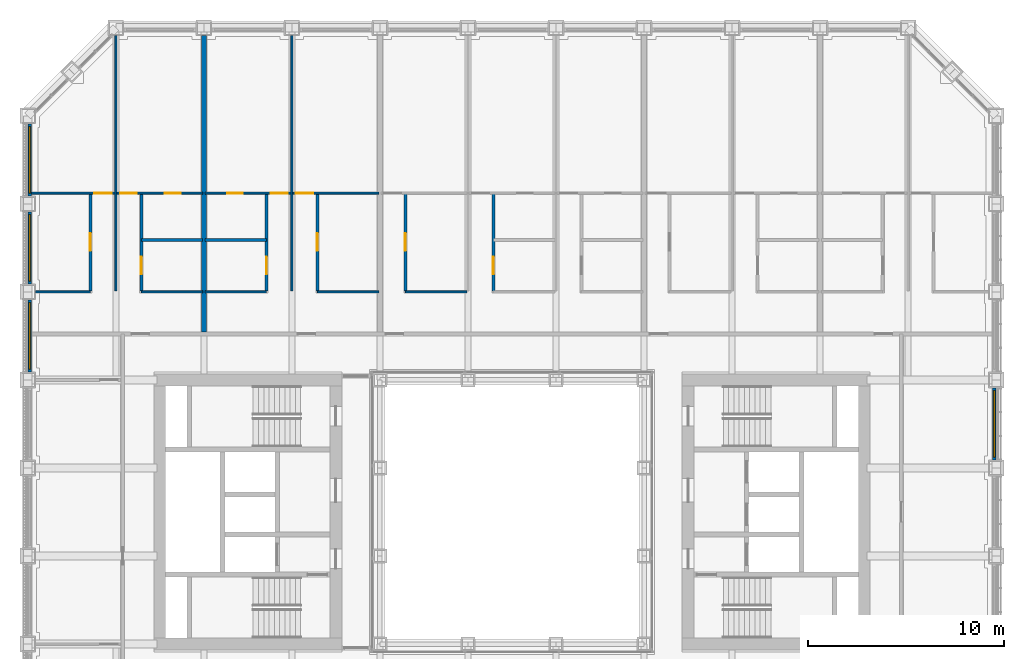
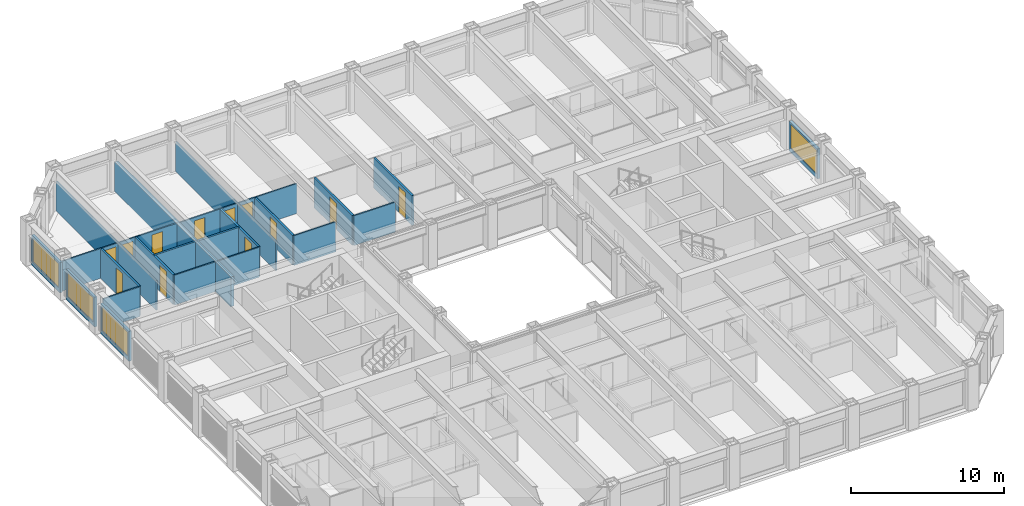
# One storey, part 13 of 21: 24 walls, 12 doors, 4 windows, 16 openings.
"""IFC4 building model written with IfcOpenShell, lengths in metres."""

from ifc_helpers import new_model, si_unit, direction, frame, frame_2d, origin, place, context, subcontext, project, spatial, rectangle, extrude, material, layer, layer_set, type_object, element, fill, save


model = new_model("IFC4")

# Units and contexts
model_context = context("Model", 3, precision=1e-05, world=origin(), true_north=direction((0.0, 1.0)))
body_context = subcontext(model_context, "Body", "Model", "MODEL_VIEW")
ifc_project = project(units=[si_unit("LENGTHUNIT", "METRE"), si_unit("AREAUNIT", "SQUARE_METRE"), si_unit("VOLUMEUNIT", "CUBIC_METRE"), si_unit("PLANEANGLEUNIT", "RADIAN"), si_unit("MASSUNIT", "GRAM", prefix="KILO")], contexts=[model_context])

# Site, building, storey
site_placement = place(None, origin())
site = spatial("IfcSite", under=ifc_project, at=site_placement, CompositionType="ELEMENT")
building_placement = place(site_placement, origin())
building = spatial("IfcBuilding", under=site, at=building_placement, Name="Msasa Ring Tower", CompositionType="ELEMENT")
storey_placement = place(building_placement, frame((0.0, 0.0, 54.5)))
storey = spatial("IfcBuildingStorey", under=building, at=storey_placement, Name="L13", CompositionType="ELEMENT", Elevation=54.5)

# Wall, opening, window
ifc_material_1 = material(Name="Terracotta rainscreen on blockwork", Category="masonry")
ifc_layer_1 = layer(ifc_material_1, 0.199951171875)
ifc_layer_set_1 = layer_set([ifc_layer_1], Name="FW1 TERRACOTTA-LINED INFILL BAY WALL 200")
wall_type_1 = type_object("IfcWallType", Name="FW1 TERRACOTTA-LINED INFILL BAY WALL 200", PredefinedType="SOLIDWALL", material=ifc_layer_set_1)
wall_1_placement = place(storey_placement, frame((24.64990234375, 2.655029296875, 0.0), z_axis=(0.0, 0.0, 1.0), x_axis=(0.0, 1.0, 0.0)))
wall_1 = element("IfcWall", 1, at=wall_1_placement, inside=storey, type_object=wall_type_1, Name="Infill bay wall E L13 16", PredefinedType="SOLIDWALL", context=body_context, shape_type="SweptSolid", body=[
    extrude(rectangle(XDim=3.68994140625, YDim=0.199951171875, at=frame_2d((1.844970703125, 0.0))), origin(), (0.0, 0.0, 1.0), 2.37890625),
])
opening_1_placement = place(wall_1_placement, frame((0.14501953125, 0.0, 0.300048828125)))
opening_1 = element("IfcOpeningElement", 2, at=opening_1_placement, cuts=wall_1, Name="Opening WN1", PredefinedType="OPENING", context=body_context, shape_type="SweptSolid", body=[
    extrude(rectangle(XDim=3.39990234375, YDim=1.928955078125, at=frame_2d((1.699951171875, 0.96435546875))), frame((0.0, 0.10986328125, 0.0), z_axis=(0.0, -1.0, 0.0), x_axis=(1.0, 0.0, 0.0)), (0.0, 0.0, 1.0), 0.219970703125),
])
ifc_material_2 = material(Name="Aluminium frame with clear glass", Category="aluminium")
window_type = type_object("IfcWindowType", Name="WN1 RESIDENCE WINDOW 3400x1929", PartitioningType="SINGLE_PANEL", PredefinedType="WINDOW", material=ifc_material_2)
window_1_placement = place(opening_1_placement, origin())
window_1 = element("IfcWindow", 3, at=window_1_placement, inside=storey, type_object=window_type, Name="Window E L13 16", OverallHeight=1.928955078125, OverallWidth=3.39990234375, PartitioningType="SINGLE_PANEL", PredefinedType="WINDOW", context=body_context, shape_type="SweptSolid", body=[
    extrude(rectangle(XDim=3.39990234375, YDim=1.928955078125, at=frame_2d((1.699951171875, 0.96435546875))), frame((0.0, 0.030029296875, 0.0), z_axis=(0.0, -1.0, 0.0), x_axis=(1.0, 0.0, 0.0)), (0.0, 0.0, 1.0), 0.06005859375),
])
fill(opening_1, window_1)

wall_2_placement = place(storey_placement, frame((-24.64990234375, 7.155029296875, 0.0), z_axis=(0.0, 0.0, 1.0), x_axis=(0.0, 1.0, 0.0)))
wall_2 = element("IfcWall", 4, at=wall_2_placement, inside=storey, type_object=wall_type_1, Name="Infill bay wall W L13 39", PredefinedType="SOLIDWALL", context=body_context, shape_type="SweptSolid", body=[
    extrude(rectangle(XDim=3.68994140625, YDim=0.199951171875, at=frame_2d((1.844970703125, 0.0))), origin(), (0.0, 0.0, 1.0), 2.37890625),
])
opening_2_placement = place(wall_2_placement, frame((0.14501953125, 0.0, 0.300048828125)))
opening_2 = element("IfcOpeningElement", 5, at=opening_2_placement, cuts=wall_2, Name="Opening WN1", PredefinedType="OPENING", context=body_context, shape_type="SweptSolid", body=[
    extrude(rectangle(XDim=3.39990234375, YDim=1.928955078125, at=frame_2d((1.699951171875, 0.96435546875))), frame((0.0, 0.10986328125, 0.0), z_axis=(0.0, -1.0, 0.0), x_axis=(1.0, 0.0, 0.0)), (0.0, 0.0, 1.0), 0.219970703125),
])
window_2_placement = place(opening_2_placement, origin())
window_2 = element("IfcWindow", 6, at=window_2_placement, inside=storey, type_object=window_type, Name="Window W L13 39", OverallHeight=1.928955078125, OverallWidth=3.39990234375, PartitioningType="SINGLE_PANEL", PredefinedType="WINDOW", context=body_context, shape_type="SweptSolid", body=[
    extrude(rectangle(XDim=3.39990234375, YDim=1.928955078125, at=frame_2d((1.699951171875, 0.96435546875))), frame((0.0, 0.030029296875, 0.0), z_axis=(0.0, -1.0, 0.0), x_axis=(1.0, 0.0, 0.0)), (0.0, 0.0, 1.0), 0.06005859375),
])
fill(opening_2, window_2)

wall_3_placement = place(storey_placement, frame((-24.64990234375, 11.655029296875, 0.0), z_axis=(0.0, 0.0, 1.0), x_axis=(0.0, 1.0, 0.0)))
wall_3 = element("IfcWall", 7, at=wall_3_placement, inside=storey, type_object=wall_type_1, Name="Infill bay wall W L13 40", PredefinedType="SOLIDWALL", context=body_context, shape_type="SweptSolid", body=[
    extrude(rectangle(XDim=3.68994140625, YDim=0.199951171875, at=frame_2d((1.844970703125, 0.0))), origin(), (0.0, 0.0, 1.0), 2.37890625),
])
opening_3_placement = place(wall_3_placement, frame((0.14501953125, 0.0, 0.300048828125)))
opening_3 = element("IfcOpeningElement", 8, at=opening_3_placement, cuts=wall_3, Name="Opening WN1", PredefinedType="OPENING", context=body_context, shape_type="SweptSolid", body=[
    extrude(rectangle(XDim=3.39990234375, YDim=1.928955078125, at=frame_2d((1.699951171875, 0.96435546875))), frame((0.0, 0.10986328125, 0.0), z_axis=(0.0, -1.0, 0.0), x_axis=(1.0, 0.0, 0.0)), (0.0, 0.0, 1.0), 0.219970703125),
])
window_3_placement = place(opening_3_placement, origin())
window_3 = element("IfcWindow", 9, at=window_3_placement, inside=storey, type_object=window_type, Name="Window W L13 40", OverallHeight=1.928955078125, OverallWidth=3.39990234375, PartitioningType="SINGLE_PANEL", PredefinedType="WINDOW", context=body_context, shape_type="SweptSolid", body=[
    extrude(rectangle(XDim=3.39990234375, YDim=1.928955078125, at=frame_2d((1.699951171875, 0.96435546875))), frame((0.0, 0.030029296875, 0.0), z_axis=(0.0, -1.0, 0.0), x_axis=(1.0, 0.0, 0.0)), (0.0, 0.0, 1.0), 0.06005859375),
])
fill(opening_3, window_3)

wall_4_placement = place(storey_placement, frame((-24.64990234375, 16.155029296875, 0.0), z_axis=(0.0, 0.0, 1.0), x_axis=(0.0, 1.0, 0.0)))
wall_4 = element("IfcWall", 10, at=wall_4_placement, inside=storey, type_object=wall_type_1, Name="Infill bay wall W L13 41", PredefinedType="SOLIDWALL", context=body_context, shape_type="SweptSolid", body=[
    extrude(rectangle(XDim=3.68994140625, YDim=0.199951171875, at=frame_2d((1.844970703125, 0.0))), origin(), (0.0, 0.0, 1.0), 2.37890625),
])
opening_4_placement = place(wall_4_placement, frame((0.14501953125, 0.0, 0.300048828125)))
opening_4 = element("IfcOpeningElement", 11, at=opening_4_placement, cuts=wall_4, Name="Opening WN1", PredefinedType="OPENING", context=body_context, shape_type="SweptSolid", body=[
    extrude(rectangle(XDim=3.39990234375, YDim=1.928955078125, at=frame_2d((1.699951171875, 0.96435546875))), frame((0.0, 0.10986328125, 0.0), z_axis=(0.0, -1.0, 0.0), x_axis=(1.0, 0.0, 0.0)), (0.0, 0.0, 1.0), 0.219970703125),
])
window_4_placement = place(opening_4_placement, origin())
window_4 = element("IfcWindow", 12, at=window_4_placement, inside=storey, type_object=window_type, Name="Window W L13 41", OverallHeight=1.928955078125, OverallWidth=3.39990234375, PartitioningType="SINGLE_PANEL", PredefinedType="WINDOW", context=body_context, shape_type="SweptSolid", body=[
    extrude(rectangle(XDim=3.39990234375, YDim=1.928955078125, at=frame_2d((1.699951171875, 0.96435546875))), frame((0.0, 0.030029296875, 0.0), z_axis=(0.0, -1.0, 0.0), x_axis=(1.0, 0.0, 0.0)), (0.0, 0.0, 1.0), 0.06005859375),
])
fill(opening_4, window_4)

# Wall
ifc_material_3 = material(Name="Gypsum board on steel studs", Category="steel")
ifc_layer_2 = layer(ifc_material_3, 0.10009765625)
ifc_layer_set_2 = layer_set([ifc_layer_2], Name="PT2 STUD PARTITION 100")
wall_type_2 = type_object("IfcWallType", Name="PT2 STUD PARTITION 100", PredefinedType="PARTITIONING", material=ifc_layer_set_2)
wall_5_placement = place(storey_placement, frame((-24.35009765625, 11.25, 0.0), z_axis=(0.0, 0.0, 1.0), x_axis=(1.0, 0.0, 0.0)))
element("IfcWall", 13, at=wall_5_placement, inside=storey, type_object=wall_type_2, Name="Partition L13-UN00HY0", PredefinedType="PARTITIONING", context=body_context, shape_type="SweptSolid", body=[
    extrude(rectangle(XDim=2.800048828125, YDim=0.10009765625, at=frame_2d((1.39990234375, 0.0))), origin(), (0.0, 0.0, 1.0), 2.373291015625),
])

# Wall, opening, door
wall_6_placement = place(storey_placement, frame((-24.550048828125, 16.300048828125, 0.0), z_axis=(0.0, 0.0, 1.0), x_axis=(1.0, 0.0, 0.0)))
wall_6 = element("IfcWall", 14, at=wall_6_placement, inside=storey, type_object=wall_type_2, Name="Partition L13-UN00SY0", PredefinedType="PARTITIONING", context=body_context, shape_type="SweptSolid", body=[
    extrude(rectangle(XDim=4.25, YDim=0.10009765625, at=frame_2d((2.125, 0.0))), origin(), (0.0, 0.0, 1.0), 2.373291015625),
])
opening_5_placement = place(wall_6_placement, frame((3.199951171875, 0.0, 0.0)))
opening_5 = element("IfcOpeningElement", 15, at=opening_5_placement, cuts=wall_6, Name="Opening RC-001", PredefinedType="OPENING", context=body_context, shape_type="SweptSolid", body=[
    extrude(rectangle(XDim=0.89990234375, YDim=2.10009765625, at=frame_2d((0.449951171875, 1.050048828125))), frame((0.0, 0.06005859375, 0.0), z_axis=(0.0, -1.0, 0.0), x_axis=(1.0, 0.0, 0.0)), (0.0, 0.0, 1.0), 0.1201171875),
])
ifc_material_4 = material(Name="Timber door leaf in a steel frame", Category="steel")
door_type_1 = type_object("IfcDoorType", Name="D22 INTERNAL HALL DOOR 900x2100", OperationType="SINGLE_SWING_LEFT", PredefinedType="DOOR", material=ifc_material_4)
door_1_placement = place(opening_5_placement, origin())
door_1 = element("IfcDoor", 16, at=door_1_placement, inside=storey, type_object=door_type_1, Name="Door L13-UN00L", OperationType="SINGLE_SWING_RIGHT", OverallHeight=2.10009765625, OverallWidth=0.89990234375, PredefinedType="DOOR", context=body_context, shape_type="SweptSolid", body=[
    extrude(rectangle(XDim=0.89990234375, YDim=2.10009765625, at=frame_2d((0.449951171875, 1.050048828125))), frame((0.0, 0.02490234375, 0.0), z_axis=(0.0, -1.0, 0.0), x_axis=(1.0, 0.0, 0.0)), (0.0, 0.0, 1.0), 0.050048828125),
])
fill(opening_5, door_1)

# Walls
wall_7_placement = place(storey_placement, frame((-20.25, 11.300048828125, 0.0), z_axis=(0.0, 0.0, 1.0), x_axis=(0.0, 1.0, 0.0)))
element("IfcWall", 17, at=wall_7_placement, inside=storey, type_object=wall_type_2, Name="Partition L13-UN00P1", PredefinedType="PARTITIONING", context=body_context, shape_type="SweptSolid", body=[
    extrude(rectangle(XDim=13.050048828125, YDim=0.10009765625, at=frame_2d((6.52490234375, 0.0))), origin(), (0.0, 0.0, 1.0), 2.373291015625),
])
wall_8_placement = place(storey_placement, frame((-18.949951171875, 11.25, 0.0), z_axis=(0.0, 0.0, 1.0), x_axis=(1.0, 0.0, 0.0)))
element("IfcWall", 18, at=wall_8_placement, inside=storey, type_object=wall_type_2, Name="Partition L13-UN00HY1", PredefinedType="PARTITIONING", context=body_context, shape_type="SweptSolid", body=[
    extrude(rectangle(XDim=3.139892578125, YDim=0.10009765625, at=frame_2d((1.56982421875, 0.0))), origin(), (0.0, 0.0, 1.0), 2.373291015625),
])

# Wall, openings, doors
wall_9_placement = place(storey_placement, frame((-20.199951171875, 16.300048828125, 0.0), z_axis=(0.0, 0.0, 1.0), x_axis=(1.0, 0.0, 0.0)))
wall_9 = element("IfcWall", 19, at=wall_9_placement, inside=storey, type_object=wall_type_2, Name="Partition L13-UN00SY1", PredefinedType="PARTITIONING", context=body_context, shape_type="SweptSolid", body=[
    extrude(rectangle(XDim=4.389892578125, YDim=0.10009765625, at=frame_2d((2.19482421875, 0.0))), origin(), (0.0, 0.0, 1.0), 2.373291015625),
])
opening_6_placement = place(wall_9_placement, frame((0.175048828125, 0.0, 0.0)))
opening_6 = element("IfcOpeningElement", 20, at=opening_6_placement, cuts=wall_9, Name="Opening RC-002", PredefinedType="OPENING", context=body_context, shape_type="SweptSolid", body=[
    extrude(rectangle(XDim=0.85009765625, YDim=2.10009765625, at=frame_2d((0.425048828125, 1.050048828125))), frame((0.0, 0.06005859375, 0.0), z_axis=(0.0, -1.0, 0.0), x_axis=(1.0, 0.0, 0.0)), (0.0, 0.0, 1.0), 0.1201171875),
])
opening_7_placement = place(wall_9_placement, frame((2.4599609375, 0.0, 0.0)))
opening_7 = element("IfcOpeningElement", 21, at=opening_7_placement, cuts=wall_9, Name="Opening RC-003", PredefinedType="OPENING", context=body_context, shape_type="SweptSolid", body=[
    extrude(rectangle(XDim=0.800048828125, YDim=2.10009765625, at=frame_2d((0.39990234375, 1.050048828125))), frame((0.0, 0.06005859375, 0.0), z_axis=(0.0, -1.0, 0.0), x_axis=(1.0, 0.0, 0.0)), (0.0, 0.0, 1.0), 0.1201171875),
])
ifc_material_5 = material(Name="Timber door leaf in a steel frame", Category="steel")
door_type_2 = type_object("IfcDoorType", Name="D14 BEDROOM DOOR 850x2100", OperationType="SINGLE_SWING_LEFT", PredefinedType="DOOR", material=ifc_material_5)
door_2_placement = place(opening_6_placement, origin())
door_2 = element("IfcDoor", 22, at=door_2_placement, inside=storey, type_object=door_type_2, Name="Door L13-UN00R1", OperationType="SINGLE_SWING_LEFT", OverallHeight=2.10009765625, OverallWidth=0.85009765625, PredefinedType="DOOR", context=body_context, shape_type="SweptSolid", body=[
    extrude(rectangle(XDim=0.85009765625, YDim=2.10009765625, at=frame_2d((0.425048828125, 1.050048828125))), frame((0.0, 0.02490234375, 0.0), z_axis=(0.0, -1.0, 0.0), x_axis=(1.0, 0.0, 0.0)), (0.0, 0.0, 1.0), 0.050048828125),
])
fill(opening_6, door_2)
ifc_material_6 = material(Name="Timber door leaf in a steel frame", Category="steel")
door_type_3 = type_object("IfcDoorType", Name="D60 DRESSING ROOM DOOR 800x2100", OperationType="SINGLE_SWING_LEFT", PredefinedType="DOOR", material=ifc_material_6)
door_3_placement = place(opening_7_placement, origin())
door_3 = element("IfcDoor", 23, at=door_3_placement, inside=storey, type_object=door_type_3, Name="Door L13-UN00W1", OperationType="SINGLE_SWING_RIGHT", OverallHeight=2.10009765625, OverallWidth=0.800048828125, PredefinedType="DOOR", context=body_context, shape_type="SweptSolid", body=[
    extrude(rectangle(XDim=0.800048828125, YDim=2.10009765625, at=frame_2d((0.39990234375, 1.050048828125))), frame((0.0, 0.02490234375, 0.0), z_axis=(0.0, -1.0, 0.0), x_axis=(1.0, 0.0, 0.0)), (0.0, 0.0, 1.0), 0.050048828125),
])
fill(opening_7, door_3)

# Wall
wall_10_placement = place(storey_placement, frame((-9.949951171875, 11.25, 0.0), z_axis=(0.0, 0.0, 1.0), x_axis=(1.0, 0.0, 0.0)))
element("IfcWall", 24, at=wall_10_placement, inside=storey, type_object=wall_type_2, Name="Partition L13-UN01HY0", PredefinedType="PARTITIONING", context=body_context, shape_type="SweptSolid", body=[
    extrude(rectangle(XDim=3.139892578125, YDim=0.10009765625, at=frame_2d((1.56982421875, 0.0))), origin(), (0.0, 0.0, 1.0), 2.373291015625),
])

# Wall, opening, door
wall_11_placement = place(storey_placement, frame((-11.199951171875, 16.300048828125, 0.0), z_axis=(0.0, 0.0, 1.0), x_axis=(1.0, 0.0, 0.0)))
wall_11 = element("IfcWall", 25, at=wall_11_placement, inside=storey, type_object=wall_type_2, Name="Partition L13-UN01SY0", PredefinedType="PARTITIONING", context=body_context, shape_type="SweptSolid", body=[
    extrude(rectangle(XDim=4.389892578125, YDim=0.10009765625, at=frame_2d((2.19482421875, 0.0))), origin(), (0.0, 0.0, 1.0), 2.373291015625),
])
opening_8_placement = place(wall_11_placement, frame((0.14990234375, 0.0, 0.0)))
opening_8 = element("IfcOpeningElement", 26, at=opening_8_placement, cuts=wall_11, Name="Opening RC-006", PredefinedType="OPENING", context=body_context, shape_type="SweptSolid", body=[
    extrude(rectangle(XDim=0.89990234375, YDim=2.10009765625, at=frame_2d((0.449951171875, 1.050048828125))), frame((0.0, 0.06005859375, 0.0), z_axis=(0.0, -1.0, 0.0), x_axis=(1.0, 0.0, 0.0)), (0.0, 0.0, 1.0), 0.1201171875),
])
door_4_placement = place(opening_8_placement, origin())
door_4 = element("IfcDoor", 27, at=door_4_placement, inside=storey, type_object=door_type_1, Name="Door L13-UN01L", OperationType="SINGLE_SWING_LEFT", OverallHeight=2.10009765625, OverallWidth=0.89990234375, PredefinedType="DOOR", context=body_context, shape_type="SweptSolid", body=[
    extrude(rectangle(XDim=0.89990234375, YDim=2.10009765625, at=frame_2d((0.449951171875, 1.050048828125))), frame((0.0, 0.02490234375, 0.0), z_axis=(0.0, -1.0, 0.0), x_axis=(1.0, 0.0, 0.0)), (0.0, 0.0, 1.0), 0.050048828125),
])
fill(opening_8, door_4)

# Walls
wall_12_placement = place(storey_placement, frame((-11.25, 11.300048828125, 0.0), z_axis=(0.0, 0.0, 1.0), x_axis=(0.0, 1.0, 0.0)))
element("IfcWall", 28, at=wall_12_placement, inside=storey, type_object=wall_type_2, Name="Partition L13-UN01P1", PredefinedType="PARTITIONING", context=body_context, shape_type="SweptSolid", body=[
    extrude(rectangle(XDim=13.050048828125, YDim=0.10009765625, at=frame_2d((6.52490234375, 0.0))), origin(), (0.0, 0.0, 1.0), 2.373291015625),
])
wall_13_placement = place(storey_placement, frame((-15.68994140625, 11.25, 0.0), z_axis=(0.0, 0.0, 1.0), x_axis=(1.0, 0.0, 0.0)))
element("IfcWall", 29, at=wall_13_placement, inside=storey, type_object=wall_type_2, Name="Partition L13-UN01HY1", PredefinedType="PARTITIONING", context=body_context, shape_type="SweptSolid", body=[
    extrude(rectangle(XDim=3.139892578125, YDim=0.10009765625, at=frame_2d((1.56982421875, 0.0))), origin(), (0.0, 0.0, 1.0), 2.373291015625),
])

# Wall, openings, doors
wall_14_placement = place(storey_placement, frame((-15.68994140625, 16.300048828125, 0.0), z_axis=(0.0, 0.0, 1.0), x_axis=(1.0, 0.0, 0.0)))
wall_14 = element("IfcWall", 30, at=wall_14_placement, inside=storey, type_object=wall_type_2, Name="Partition L13-UN01SY1", PredefinedType="PARTITIONING", context=body_context, shape_type="SweptSolid", body=[
    extrude(rectangle(XDim=4.389892578125, YDim=0.10009765625, at=frame_2d((2.19482421875, 0.0))), origin(), (0.0, 0.0, 1.0), 2.373291015625),
])
opening_9_placement = place(wall_14_placement, frame((3.364990234375, 0.0, 0.0)))
opening_9 = element("IfcOpeningElement", 31, at=opening_9_placement, cuts=wall_14, Name="Opening RC-005", PredefinedType="OPENING", context=body_context, shape_type="SweptSolid", body=[
    extrude(rectangle(XDim=0.85009765625, YDim=2.10009765625, at=frame_2d((0.425048828125, 1.050048828125))), frame((0.0, 0.06005859375, 0.0), z_axis=(0.0, -1.0, 0.0), x_axis=(1.0, 0.0, 0.0)), (0.0, 0.0, 1.0), 0.1201171875),
])
opening_10_placement = place(wall_14_placement, frame((1.1298828125, 0.0, 0.0)))
opening_10 = element("IfcOpeningElement", 32, at=opening_10_placement, cuts=wall_14, Name="Opening RC-004", PredefinedType="OPENING", context=body_context, shape_type="SweptSolid", body=[
    extrude(rectangle(XDim=0.800048828125, YDim=2.10009765625, at=frame_2d((0.39990234375, 1.050048828125))), frame((0.0, 0.06005859375, 0.0), z_axis=(0.0, -1.0, 0.0), x_axis=(1.0, 0.0, 0.0)), (0.0, 0.0, 1.0), 0.1201171875),
])
door_5_placement = place(opening_9_placement, origin())
door_5 = element("IfcDoor", 33, at=door_5_placement, inside=storey, type_object=door_type_2, Name="Door L13-UN01R1", OperationType="SINGLE_SWING_RIGHT", OverallHeight=2.10009765625, OverallWidth=0.85009765625, PredefinedType="DOOR", context=body_context, shape_type="SweptSolid", body=[
    extrude(rectangle(XDim=0.85009765625, YDim=2.10009765625, at=frame_2d((0.425048828125, 1.050048828125))), frame((0.0, 0.02490234375, 0.0), z_axis=(0.0, -1.0, 0.0), x_axis=(1.0, 0.0, 0.0)), (0.0, 0.0, 1.0), 0.050048828125),
])
fill(opening_9, door_5)
door_6_placement = place(opening_10_placement, origin())
door_6 = element("IfcDoor", 34, at=door_6_placement, inside=storey, type_object=door_type_3, Name="Door L13-UN01W1", OperationType="SINGLE_SWING_LEFT", OverallHeight=2.10009765625, OverallWidth=0.800048828125, PredefinedType="DOOR", context=body_context, shape_type="SweptSolid", body=[
    extrude(rectangle(XDim=0.800048828125, YDim=2.10009765625, at=frame_2d((0.39990234375, 1.050048828125))), frame((0.0, 0.02490234375, 0.0), z_axis=(0.0, -1.0, 0.0), x_axis=(1.0, 0.0, 0.0)), (0.0, 0.0, 1.0), 0.050048828125),
])
fill(opening_10, door_6)

# Walls
wall_15_placement = place(storey_placement, frame((-5.449951171875, 11.25, 0.0), z_axis=(0.0, 0.0, 1.0), x_axis=(1.0, 0.0, 0.0)))
element("IfcWall", 35, at=wall_15_placement, inside=storey, type_object=wall_type_2, Name="Partition L13-UN02HY0", PredefinedType="PARTITIONING", context=body_context, shape_type="SweptSolid", body=[
    extrude(rectangle(XDim=3.139892578125, YDim=0.10009765625, at=frame_2d((1.56982421875, 0.0))), origin(), (0.0, 0.0, 1.0), 2.373291015625),
])
ifc_material_7 = material(Name="Dense concrete blockwork, plastered both faces", Category="masonry")
ifc_layer_3 = layer(ifc_material_7, 0.25)
ifc_layer_set_3 = layer_set([ifc_layer_3], Name="PT3 APARTMENT SEPARATING WALL 250")
wall_type_3 = type_object("IfcWallType", Name="PT3 APARTMENT SEPARATING WALL 250", PredefinedType="PARTITIONING", material=ifc_layer_set_3)
wall_16_placement = place(storey_placement, frame((-15.75, 9.199951171875, 0.0), z_axis=(0.0, 0.0, 1.0), x_axis=(0.0, 1.0, 0.0)))
element("IfcWall", 36, at=wall_16_placement, inside=storey, type_object=wall_type_3, Name="Party wall L13-PWN-15.75", PredefinedType="PARTITIONING", context=body_context, shape_type="SweptSolid", body=[
    extrude(rectangle(XDim=15.150146484375, YDim=0.25, at=frame_2d((7.5751953125, 0.0))), origin(), (0.0, 0.0, 1.0), 2.373291015625),
])

# Wall, opening, door
ifc_material_8 = material(Name="Moisture-resistant board on steel studs with a concealed cistern and pipe void, tiled", Category="steel")
ifc_layer_4 = layer(ifc_material_8, 0.14990234375)
ifc_layer_set_4 = layer_set([ifc_layer_4], Name="PT4 BATHROOM WET WALL 150")
wall_type_4 = type_object("IfcWallType", Name="PT4 BATHROOM WET WALL 150", PredefinedType="PARTITIONING", material=ifc_layer_set_4)
wall_17_placement = place(storey_placement, frame((-21.550048828125, 11.300048828125, 0.0), z_axis=(0.0, 0.0, 1.0), x_axis=(0.0, 1.0, 0.0)))
wall_17 = element("IfcWall", 37, at=wall_17_placement, inside=storey, type_object=wall_type_4, Name="Partition L13-UN00SX0", PredefinedType="PARTITIONING", context=body_context, shape_type="SweptSolid", body=[
    extrude(rectangle(XDim=5.0, YDim=0.14990234375, at=frame_2d((2.5, 0.0))), origin(), (0.0, 0.0, 1.0), 2.373291015625),
])
opening_11_placement = place(wall_17_placement, frame((2.050048828125, 0.0, 0.0)))
opening_11 = element("IfcOpeningElement", 38, at=opening_11_placement, cuts=wall_17, Name="Opening RC-018", PredefinedType="OPENING", context=body_context, shape_type="SweptSolid", body=[
    extrude(rectangle(XDim=0.89990234375, YDim=2.10009765625, at=frame_2d((0.449951171875, 1.050048828125))), frame((0.0, 0.0849609375, 0.0), z_axis=(0.0, -1.0, 0.0), x_axis=(1.0, 0.0, 0.0)), (0.0, 0.0, 1.0), 0.169921875),
])
door_7_placement = place(opening_11_placement, origin())
door_7 = element("IfcDoor", 39, at=door_7_placement, inside=storey, type_object=door_type_1, Name="Door L13-UN00K", OperationType="SINGLE_SWING_LEFT", OverallHeight=2.10009765625, OverallWidth=0.89990234375, PredefinedType="DOOR", context=body_context, shape_type="SweptSolid", body=[
    extrude(rectangle(XDim=0.89990234375, YDim=2.10009765625, at=frame_2d((0.449951171875, 1.050048828125))), frame((0.0, 0.02490234375, 0.0), z_axis=(0.0, -1.0, 0.0), x_axis=(1.0, 0.0, 0.0)), (0.0, 0.0, 1.0), 0.050048828125),
])
fill(opening_11, door_7)

wall_18_placement = place(storey_placement, frame((-18.949951171875, 11.300048828125, 0.0), z_axis=(0.0, 0.0, 1.0), x_axis=(0.0, 1.0, 0.0)))
wall_18 = element("IfcWall", 40, at=wall_18_placement, inside=storey, type_object=wall_type_4, Name="Partition L13-UN00SX1", PredefinedType="PARTITIONING", context=body_context, shape_type="SweptSolid", body=[
    extrude(rectangle(XDim=5.0, YDim=0.14990234375, at=frame_2d((2.5, 0.0))), origin(), (0.0, 0.0, 1.0), 2.373291015625),
])
opening_12_placement = place(wall_18_placement, frame((0.85009765625, 0.0, 0.0)))
opening_12 = element("IfcOpeningElement", 41, at=opening_12_placement, cuts=wall_18, Name="Opening RC-023", PredefinedType="OPENING", context=body_context, shape_type="SweptSolid", body=[
    extrude(rectangle(XDim=0.89990234375, YDim=2.10009765625, at=frame_2d((0.449951171875, 1.050048828125))), frame((0.0, 0.0849609375, 0.0), z_axis=(0.0, -1.0, 0.0), x_axis=(1.0, 0.0, 0.0)), (0.0, 0.0, 1.0), 0.169921875),
])
ifc_material_9 = material(Name="Timber door leaf in a steel frame", Category="steel")
door_type_4 = type_object("IfcDoorType", Name="D3 BATHROOM DOOR 900x2100", OperationType="SINGLE_SWING_LEFT", PredefinedType="DOOR", material=ifc_material_9)
door_8_placement = place(opening_12_placement, origin())
door_8 = element("IfcDoor", 42, at=door_8_placement, inside=storey, type_object=door_type_4, Name="Door L13-UN00B1", OperationType="SINGLE_SWING_LEFT", OverallHeight=2.10009765625, OverallWidth=0.89990234375, PredefinedType="DOOR", context=body_context, shape_type="SweptSolid", body=[
    extrude(rectangle(XDim=0.89990234375, YDim=2.10009765625, at=frame_2d((0.449951171875, 1.050048828125))), frame((0.0, 0.02490234375, 0.0), z_axis=(0.0, -1.0, 0.0), x_axis=(1.0, 0.0, 0.0)), (0.0, 0.0, 1.0), 0.050048828125),
])
fill(opening_12, door_8)

# Wall
wall_19_placement = place(storey_placement, frame((-18.949951171875, 13.89990234375, 0.0), z_axis=(0.0, 0.0, 1.0), x_axis=(1.0, 0.0, 0.0)))
element("IfcWall", 43, at=wall_19_placement, inside=storey, type_object=wall_type_4, Name="Partition L13-UN00SB1", PredefinedType="PARTITIONING", context=body_context, shape_type="SweptSolid", body=[
    extrude(rectangle(XDim=3.139892578125, YDim=0.14990234375, at=frame_2d((1.56982421875, 0.0))), origin(), (0.0, 0.0, 1.0), 2.373291015625),
])

# Wall, opening, door
wall_20_placement = place(storey_placement, frame((-9.949951171875, 11.300048828125, 0.0), z_axis=(0.0, 0.0, 1.0), x_axis=(0.0, 1.0, 0.0)))
wall_20 = element("IfcWall", 44, at=wall_20_placement, inside=storey, type_object=wall_type_4, Name="Partition L13-UN01SX0", PredefinedType="PARTITIONING", context=body_context, shape_type="SweptSolid", body=[
    extrude(rectangle(XDim=5.0, YDim=0.14990234375, at=frame_2d((2.5, 0.0))), origin(), (0.0, 0.0, 1.0), 2.373291015625),
])
opening_13_placement = place(wall_20_placement, frame((2.050048828125, 0.0, 0.0)))
opening_13 = element("IfcOpeningElement", 45, at=opening_13_placement, cuts=wall_20, Name="Opening RC-019", PredefinedType="OPENING", context=body_context, shape_type="SweptSolid", body=[
    extrude(rectangle(XDim=0.89990234375, YDim=2.10009765625, at=frame_2d((0.449951171875, 1.050048828125))), frame((0.0, 0.0849609375, 0.0), z_axis=(0.0, -1.0, 0.0), x_axis=(1.0, 0.0, 0.0)), (0.0, 0.0, 1.0), 0.169921875),
])
door_9_placement = place(opening_13_placement, origin())
door_9 = element("IfcDoor", 46, at=door_9_placement, inside=storey, type_object=door_type_1, Name="Door L13-UN01K", OperationType="SINGLE_SWING_LEFT", OverallHeight=2.10009765625, OverallWidth=0.89990234375, PredefinedType="DOOR", context=body_context, shape_type="SweptSolid", body=[
    extrude(rectangle(XDim=0.89990234375, YDim=2.10009765625, at=frame_2d((0.449951171875, 1.050048828125))), frame((0.0, 0.02490234375, 0.0), z_axis=(0.0, -1.0, 0.0), x_axis=(1.0, 0.0, 0.0)), (0.0, 0.0, 1.0), 0.050048828125),
])
fill(opening_13, door_9)

wall_21_placement = place(storey_placement, frame((-12.550048828125, 11.300048828125, 0.0), z_axis=(0.0, 0.0, 1.0), x_axis=(0.0, 1.0, 0.0)))
wall_21 = element("IfcWall", 47, at=wall_21_placement, inside=storey, type_object=wall_type_4, Name="Partition L13-UN01SX1", PredefinedType="PARTITIONING", context=body_context, shape_type="SweptSolid", body=[
    extrude(rectangle(XDim=5.0, YDim=0.14990234375, at=frame_2d((2.5, 0.0))), origin(), (0.0, 0.0, 1.0), 2.373291015625),
])
opening_14_placement = place(wall_21_placement, frame((0.85009765625, 0.0, 0.0)))
opening_14 = element("IfcOpeningElement", 48, at=opening_14_placement, cuts=wall_21, Name="Opening RC-024", PredefinedType="OPENING", context=body_context, shape_type="SweptSolid", body=[
    extrude(rectangle(XDim=0.89990234375, YDim=2.10009765625, at=frame_2d((0.449951171875, 1.050048828125))), frame((0.0, 0.0849609375, 0.0), z_axis=(0.0, -1.0, 0.0), x_axis=(1.0, 0.0, 0.0)), (0.0, 0.0, 1.0), 0.169921875),
])
door_10_placement = place(opening_14_placement, origin())
door_10 = element("IfcDoor", 49, at=door_10_placement, inside=storey, type_object=door_type_4, Name="Door L13-UN01B1", OperationType="SINGLE_SWING_LEFT", OverallHeight=2.10009765625, OverallWidth=0.89990234375, PredefinedType="DOOR", context=body_context, shape_type="SweptSolid", body=[
    extrude(rectangle(XDim=0.89990234375, YDim=2.10009765625, at=frame_2d((0.449951171875, 1.050048828125))), frame((0.0, 0.02490234375, 0.0), z_axis=(0.0, -1.0, 0.0), x_axis=(1.0, 0.0, 0.0)), (0.0, 0.0, 1.0), 0.050048828125),
])
fill(opening_14, door_10)

# Wall
wall_22_placement = place(storey_placement, frame((-15.68994140625, 13.89990234375, 0.0), z_axis=(0.0, 0.0, 1.0), x_axis=(1.0, 0.0, 0.0)))
element("IfcWall", 50, at=wall_22_placement, inside=storey, type_object=wall_type_4, Name="Partition L13-UN01SB1", PredefinedType="PARTITIONING", context=body_context, shape_type="SweptSolid", body=[
    extrude(rectangle(XDim=3.139892578125, YDim=0.14990234375, at=frame_2d((1.56982421875, 0.0))), origin(), (0.0, 0.0, 1.0), 2.373291015625),
])

# Wall, opening, door
wall_23_placement = place(storey_placement, frame((-5.449951171875, 11.300048828125, 0.0), z_axis=(0.0, 0.0, 1.0), x_axis=(0.0, 1.0, 0.0)))
wall_23 = element("IfcWall", 51, at=wall_23_placement, inside=storey, type_object=wall_type_4, Name="Partition L13-UN02SX0", PredefinedType="PARTITIONING", context=body_context, shape_type="SweptSolid", body=[
    extrude(rectangle(XDim=5.0, YDim=0.14990234375, at=frame_2d((2.5, 0.0))), origin(), (0.0, 0.0, 1.0), 2.373291015625),
])
opening_15_placement = place(wall_23_placement, frame((2.050048828125, 0.0, 0.0)))
opening_15 = element("IfcOpeningElement", 52, at=opening_15_placement, cuts=wall_23, Name="Opening RC-020", PredefinedType="OPENING", context=body_context, shape_type="SweptSolid", body=[
    extrude(rectangle(XDim=0.89990234375, YDim=2.10009765625, at=frame_2d((0.449951171875, 1.050048828125))), frame((0.0, 0.0849609375, 0.0), z_axis=(0.0, -1.0, 0.0), x_axis=(1.0, 0.0, 0.0)), (0.0, 0.0, 1.0), 0.169921875),
])
door_11_placement = place(opening_15_placement, origin())
door_11 = element("IfcDoor", 53, at=door_11_placement, inside=storey, type_object=door_type_1, Name="Door L13-UN02K", OperationType="SINGLE_SWING_LEFT", OverallHeight=2.10009765625, OverallWidth=0.89990234375, PredefinedType="DOOR", context=body_context, shape_type="SweptSolid", body=[
    extrude(rectangle(XDim=0.89990234375, YDim=2.10009765625, at=frame_2d((0.449951171875, 1.050048828125))), frame((0.0, 0.02490234375, 0.0), z_axis=(0.0, -1.0, 0.0), x_axis=(1.0, 0.0, 0.0)), (0.0, 0.0, 1.0), 0.050048828125),
])
fill(opening_15, door_11)

wall_24_placement = place(storey_placement, frame((-0.949951171875, 11.300048828125, 0.0), z_axis=(0.0, 0.0, 1.0), x_axis=(0.0, 1.0, 0.0)))
wall_24 = element("IfcWall", 54, at=wall_24_placement, inside=storey, type_object=wall_type_4, Name="Partition L13-UN02SX1", PredefinedType="PARTITIONING", context=body_context, shape_type="SweptSolid", body=[
    extrude(rectangle(XDim=5.0, YDim=0.14990234375, at=frame_2d((2.5, 0.0))), origin(), (0.0, 0.0, 1.0), 2.373291015625),
])
opening_16_placement = place(wall_24_placement, frame((0.85009765625, 0.0, 0.0)))
opening_16 = element("IfcOpeningElement", 55, at=opening_16_placement, cuts=wall_24, Name="Opening RC-025", PredefinedType="OPENING", context=body_context, shape_type="SweptSolid", body=[
    extrude(rectangle(XDim=0.89990234375, YDim=2.10009765625, at=frame_2d((0.449951171875, 1.050048828125))), frame((0.0, 0.0849609375, 0.0), z_axis=(0.0, -1.0, 0.0), x_axis=(1.0, 0.0, 0.0)), (0.0, 0.0, 1.0), 0.169921875),
])
door_12_placement = place(opening_16_placement, origin())
door_12 = element("IfcDoor", 56, at=door_12_placement, inside=storey, type_object=door_type_4, Name="Door L13-UN02B1", OperationType="SINGLE_SWING_LEFT", OverallHeight=2.10009765625, OverallWidth=0.89990234375, PredefinedType="DOOR", context=body_context, shape_type="SweptSolid", body=[
    extrude(rectangle(XDim=0.89990234375, YDim=2.10009765625, at=frame_2d((0.449951171875, 1.050048828125))), frame((0.0, 0.02490234375, 0.0), z_axis=(0.0, -1.0, 0.0), x_axis=(1.0, 0.0, 0.0)), (0.0, 0.0, 1.0), 0.050048828125),
])
fill(opening_16, door_12)

save(model, "model.ifc")
